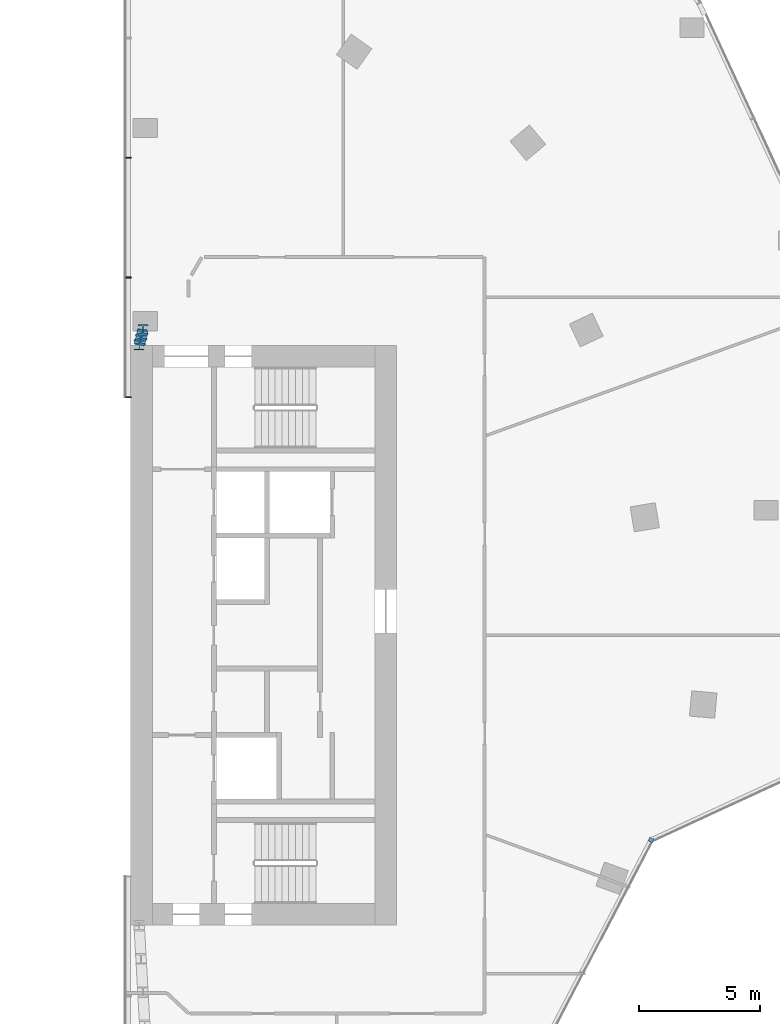
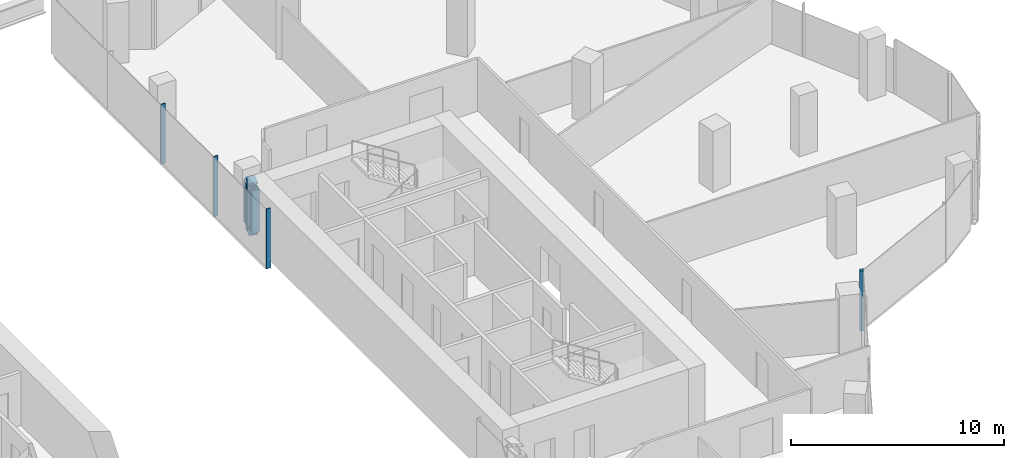
# One storey, part 8 of 24: 10 members, 2 elements without a shape of their own.
"""IFC4 building model written with IfcOpenShell, lengths in metres."""

from ifc_helpers import new_model, si_unit, direction, frame, origin, origin_2d, place, context, subcontext, project, spatial, rectangle, i_section, extrude, material, material_profile, profile_set, type_object, element, aggregate, save


model = new_model("IFC4")

# Units and contexts
model_context = context("Model", 3, precision=1e-05, world=origin(), true_north=direction((0.0, 1.0)))
body_context = subcontext(model_context, "Body", "Model", "MODEL_VIEW")
ifc_project = project(units=[si_unit("LENGTHUNIT", "METRE"), si_unit("AREAUNIT", "SQUARE_METRE"), si_unit("VOLUMEUNIT", "CUBIC_METRE"), si_unit("PLANEANGLEUNIT", "RADIAN"), si_unit("MASSUNIT", "GRAM", prefix="KILO")], contexts=[model_context])

# Site, building, storey
site_placement = place(None, origin())
site = spatial("IfcSite", under=ifc_project, at=site_placement, CompositionType="ELEMENT")
building_placement = place(site_placement, origin())
building = spatial("IfcBuilding", under=site, at=building_placement, Name="Orlundy Tower", CompositionType="ELEMENT")
storey_placement = place(building_placement, frame((0.0, 0.0, 267.5)))
storey = spatial("IfcBuildingStorey", under=building, at=storey_placement, Name="L71", CompositionType="ELEMENT", Elevation=267.5)

# Curtain wall, member
ifc_material_1 = material(Name="Aluminium bronze anodised", Category="aluminium")
curtain_wall_type = type_object("IfcCurtainWallType", Name="CW1 wall", PredefinedType="NOTDEFINED", material=ifc_material_1)
curtain_wall_1_placement = place(storey_placement, origin())
curtain_wall_1 = element("IfcCurtainWall", 1, at=curtain_wall_1_placement, inside=storey, type_object=curtain_wall_type, Name="CW1 run 111", PredefinedType="NOTDEFINED")
ifc_material_2 = material(Name="Aluminium bronze anodised", Category="aluminium")
ifc_material_profile_1 = material_profile(ifc_material_2, rectangle(XDim=0.179931640625, YDim=0.179931640625, at=origin_2d()), Name="CW1 corner post 180x180")
ifc_profile_set_1 = profile_set([ifc_material_profile_1], Name="Aluminium bronze anodised")
member_type_1 = type_object("IfcMemberType", Name="CW1 corner post 180x180", PredefinedType="MULLION", material=ifc_profile_set_1)
member_1_placement = place(storey_placement, frame((29.534423828125, -8.46875, -0.39990234375), z_axis=(0.0, 0.0, 1.0), x_axis=(0.885660617608, -0.464333145939, 0.0)))
member_1 = element("IfcMember", 2, at=member_1_placement, type_object=member_type_1, Name="CW1 mullion 16", PredefinedType="MULLION", context=body_context, shape_type="SweptSolid", body=[
    extrude(rectangle(XDim=0.179931640625, YDim=0.179931640625, at=origin_2d()), origin(), (0.0, 0.0, 1.0), 3.449951171875),
])
aggregate(curtain_wall_1, [member_1])

# Curtain wall, members
curtain_wall_2_placement = place(storey_placement, origin())
curtain_wall_2 = element("IfcCurtainWall", 3, at=curtain_wall_2_placement, inside=storey, type_object=curtain_wall_type, Name="CW1 run 118", PredefinedType="NOTDEFINED")
ifc_material_3 = material(Name="Aluminium bronze anodised", Category="aluminium")
ifc_material_profile_2 = material_profile(ifc_material_3, rectangle(XDim=0.239990234375, YDim=0.050048828125, at=origin_2d()), Name="CW6 mullion 50x240")
ifc_profile_set_2 = profile_set([ifc_material_profile_2], Name="Aluminium bronze anodised")
member_type_2 = type_object("IfcMemberType", Name="CW6 mullion 50x240", PredefinedType="MULLION", material=ifc_profile_set_2)
member_2_placement = place(storey_placement, frame((7.909912109375, 9.8515625, -0.39990234375), z_axis=(0.0, 0.0, 1.0), x_axis=(-1.0, 0.0, 0.0)))
member_2 = element("IfcMember", 4, at=member_2_placement, type_object=member_type_2, Name="CW6 mullion 36", PredefinedType="MULLION", context=body_context, shape_type="SweptSolid", body=[
    extrude(rectangle(XDim=0.239990234375, YDim=0.050048828125, at=origin_2d()), origin(), (0.0, 0.0, 1.0), 3.449951171875),
])
member_3_placement = place(storey_placement, frame((7.909912109375, 14.808349609375, -0.39990234375), z_axis=(0.0, 0.0, 1.0), x_axis=(-1.0, 0.0, 0.0)))
member_3 = element("IfcMember", 5, at=member_3_placement, type_object=member_type_2, Name="CW6 mullion 37", PredefinedType="MULLION", context=body_context, shape_type="SweptSolid", body=[
    extrude(rectangle(XDim=0.239990234375, YDim=0.050048828125, at=origin_2d()), origin(), (0.0, 0.0, 1.0), 3.449951171875),
])
member_4_placement = place(storey_placement, frame((7.909912109375, 19.765380859375, -0.39990234375), z_axis=(0.0, 0.0, 1.0), x_axis=(-1.0, 0.0, 0.0)))
member_4 = element("IfcMember", 6, at=member_4_placement, type_object=member_type_2, Name="CW6 mullion 38", PredefinedType="MULLION", context=body_context, shape_type="SweptSolid", body=[
    extrude(rectangle(XDim=0.239990234375, YDim=0.050048828125, at=origin_2d()), origin(), (0.0, 0.0, 1.0), 3.449951171875),
])
aggregate(curtain_wall_2, [member_2, member_3, member_4])

# Members
ifc_material_4 = material(Name="Steel ASTM A992 Gr 50", Category="steel")
ifc_material_profile_3 = material_profile(ifc_material_4, i_section(OverallWidth=0.43212890625, OverallDepth=0.497802734375, WebThickness=0.0556640625, FlangeThickness=0.0888671875, at=origin_2d()), Name="W14X500")
ifc_profile_set_3 = profile_set([ifc_material_profile_3], Name="Steel ASTM A992 Gr 50")
member_type_3 = type_object("IfcMemberType", Name="PORTAL EDGE TRUSS chord W14X500", PredefinedType="CHORD", material=ifc_profile_set_3)
for number, where, z_axis, x_axis, name in (
    (7, (8.35009765625, 12.02001953125, 0.28466796875), (0.247031311842, 0.969007497891, 0.0), (-0.969007497891, 0.247031311842, 0.0), "Portal edge truss bottom chord PE-EN"),
    (8, (8.35009765625, 12.02001953125, 2.765380859375), (0.247031311842, 0.969007497891, 0.0), (-0.969007497891, 0.247031311842, 0.0), "Portal edge truss top chord PE-EN"),
):
    element("IfcMember", number, at=place(storey_placement, frame(where, z_axis=z_axis, x_axis=x_axis)), inside=storey, type_object=member_type_3, Name=name, PredefinedType="CHORD", context=body_context, shape_type="SweptSolid", body=[
        extrude(i_section(OverallWidth=0.43212890625, OverallDepth=0.497802734375, WebThickness=0.0556640625, FlangeThickness=0.0888671875, at=origin_2d()), origin(), (0.0, 0.0, 1.0), 0.6513671875),
    ])
ifc_material_5 = material(Name="Steel ASTM A992 Gr 50", Category="steel")
ifc_material_profile_4 = material_profile(ifc_material_5, i_section(OverallWidth=0.412109375, OverallDepth=0.434814453125, WebThickness=0.035888671875, FlangeThickness=0.057373046875, at=origin_2d()), Name="W14X311")
ifc_profile_set_4 = profile_set([ifc_material_profile_4], Name="Steel ASTM A992 Gr 50")
member_type_4 = type_object("IfcMemberType", Name="PORTAL EDGE TRUSS post W14X311", PredefinedType="POST", material=ifc_profile_set_4)
for number, where, z_axis, x_axis, name in (
    (9, (8.35009765625, 12.02001953125, 0.28466796875), (0.0, 0.0, 1.0), (1.0, 0.0, 0.0), "Portal edge truss post PE-EN-0"),
    (10, (8.40380859375, 12.23046875, 0.28466796875), (0.0, 0.0, 1.0), (1.0, 0.0, 0.0), "Portal edge truss post PE-EN-1"),
    (11, (8.457275390625, 12.44091796875, 0.28466796875), (0.0, 0.0, 1.0), (1.0, 0.0, 0.0), "Portal edge truss post PE-EN-2"),
    (12, (8.510986328125, 12.651123046875, 0.28466796875), (0.0, 0.0, 1.0), (1.0, 0.0, 0.0), "Portal edge truss post PE-EN-3"),
):
    element("IfcMember", number, at=place(storey_placement, frame(where, z_axis=z_axis, x_axis=x_axis)), inside=storey, type_object=member_type_4, Name=name, PredefinedType="POST", context=body_context, shape_type="SweptSolid", body=[
        extrude(i_section(OverallWidth=0.412109375, OverallDepth=0.434814453125, WebThickness=0.035888671875, FlangeThickness=0.057373046875, at=origin_2d()), origin(), (0.0, 0.0, 1.0), 2.480712890625),
    ])

save(model, "model.ifc")
